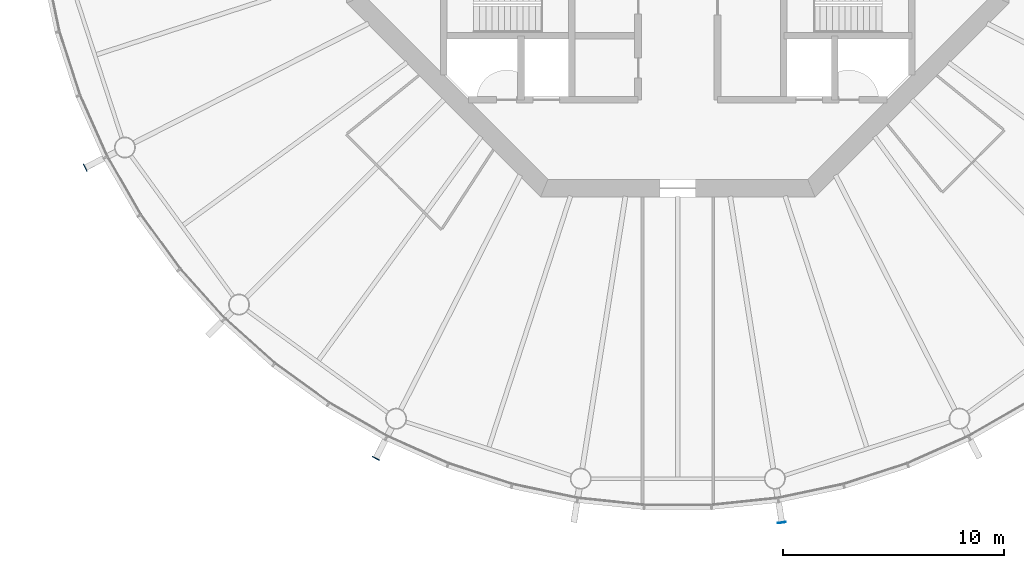
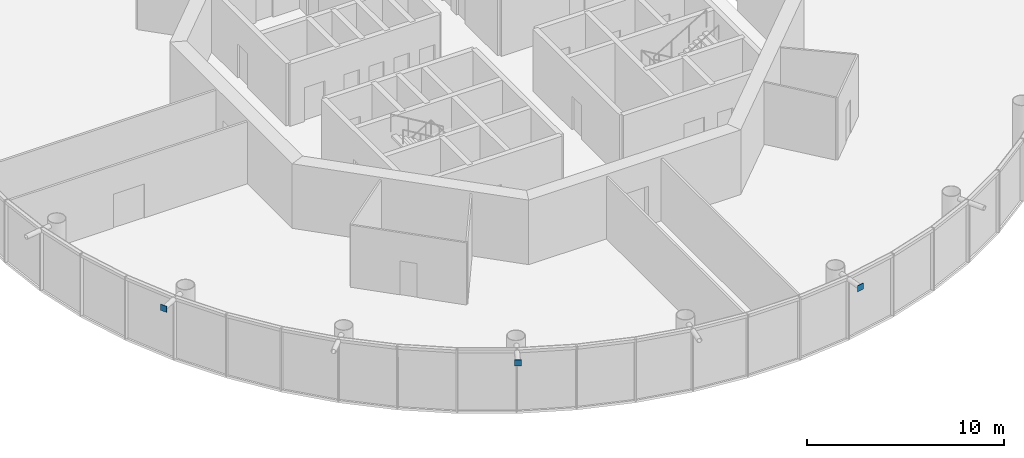
# One storey, part 6 of 16: 3 discrete accessories.
"""IFC4 building model written with IfcOpenShell, lengths in metres."""

from ifc_helpers import new_model, si_unit, direction, frame, origin, origin_2d, place, context, subcontext, project, spatial, rectangle, extrude, material, element, save


model = new_model("IFC4")

# Units and contexts
model_context = context("Model", 3, precision=1e-05, world=origin(), true_north=direction((0.0, 1.0)))
body_context = subcontext(model_context, "Body", "Model", "MODEL_VIEW")
ifc_project = project(units=[si_unit("LENGTHUNIT", "METRE"), si_unit("AREAUNIT", "SQUARE_METRE"), si_unit("VOLUMEUNIT", "CUBIC_METRE"), si_unit("PLANEANGLEUNIT", "RADIAN"), si_unit("MASSUNIT", "GRAM", prefix="KILO")], contexts=[model_context])

# Site, building, storey
site_placement = place(None, origin())
site = spatial("IfcSite", under=ifc_project, at=site_placement, CompositionType="ELEMENT")
building_placement = place(site_placement, origin())
building = spatial("IfcBuilding", under=site, at=building_placement, Name="Entoto Ring Tower", CompositionType="ELEMENT")
storey_placement = place(building_placement, frame((0.0, 0.0, 326.0)))
storey = spatial("IfcBuildingStorey", under=building, at=storey_placement, Name="L75", CompositionType="ELEMENT", Elevation=326.0)

# Discrete accessories
ifc_material = material(Name="Steel S355", Category="steel")
for number, where, z_axis, x_axis, name in (
    (1, (63.167236328125, 66.328125, 3.52685546875), (0.0, 0.0, 1.0), (-0.891006524188, -0.45399049974, 0.0), "Node strut end plate DS2 ring 24 12"),
    (2, (76.328125, 53.167236328125, 3.52685546875), (0.0, 0.0, 1.0), (-0.45399049974, -0.891006524188, 0.0), "Node strut end plate DS2 ring 24 14"),
    (3, (94.7109375, 50.255859375, 3.52685546875), (0.0, 0.0, 1.0), (0.15643446504, -0.987688340595, 0.0), "Node strut end plate DS2 ring 24 16"),
):
    element("IfcDiscreteAccessory", number, at=place(storey_placement, frame(where, z_axis=z_axis, x_axis=x_axis)), inside=storey, material=ifc_material, Name=name, PredefinedType="BRACKET", context=body_context, shape_type="SweptSolid", body=[
        extrude(rectangle(XDim=0.030029296875, YDim=0.373046875, at=origin_2d()), origin(), (0.0, 0.0, 1.0), 0.373046875),
    ])

save(model, "model.ifc")
